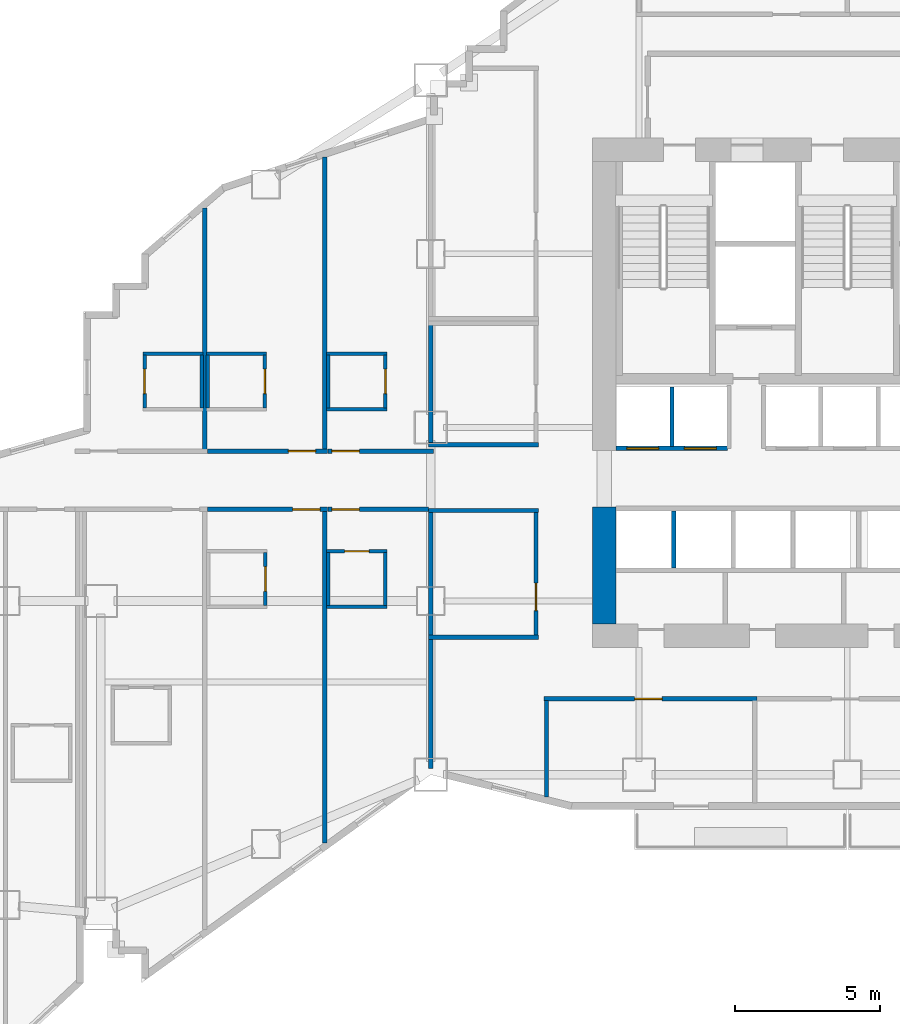
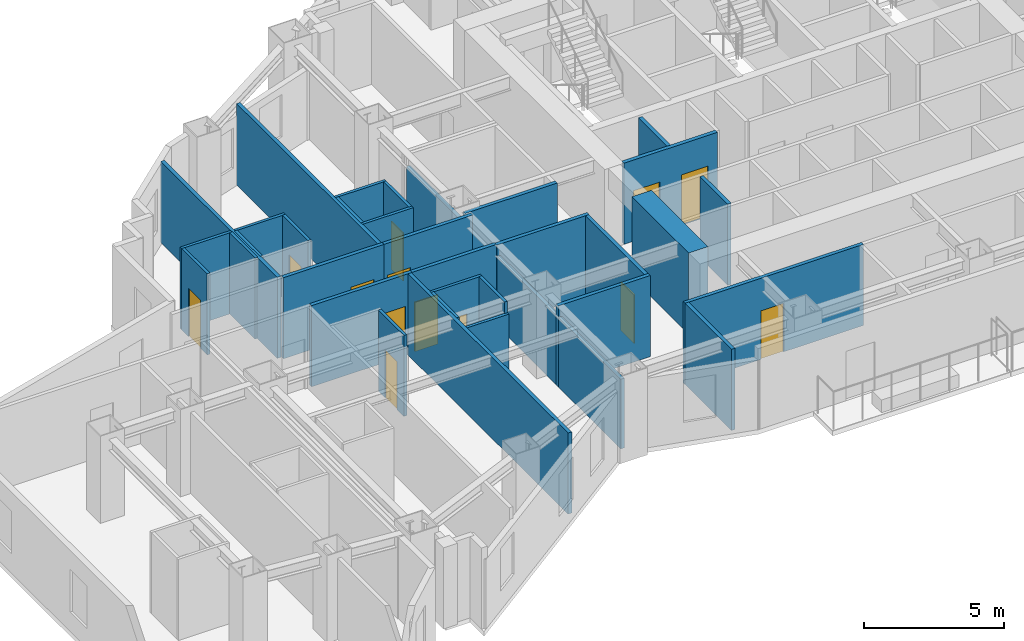
# One storey, part 8 of 16: 35 walls, 13 doors, 13 openings.
"""IFC4 building model written with IfcOpenShell, lengths in metres."""

from ifc_helpers import new_model, si_unit, direction, frame, frame_2d, origin, place, context, subcontext, project, spatial, rectangle, extrude, material, layer, layer_set, type_object, element, fill, save


model = new_model("IFC4")

# Units and contexts
model_context = context("Model", 3, precision=1e-05, world=origin(), true_north=direction((0.0, 1.0)))
body_context = subcontext(model_context, "Body", "Model", "MODEL_VIEW")
ifc_project = project(units=[si_unit("LENGTHUNIT", "METRE"), si_unit("AREAUNIT", "SQUARE_METRE"), si_unit("VOLUMEUNIT", "CUBIC_METRE"), si_unit("PLANEANGLEUNIT", "RADIAN"), si_unit("MASSUNIT", "GRAM", prefix="KILO")], contexts=[model_context])

# Site, building, storey
site_placement = place(None, origin())
site = spatial("IfcSite", under=ifc_project, at=site_placement, CompositionType="ELEMENT")
building_placement = place(site_placement, origin())
building = spatial("IfcBuilding", under=site, at=building_placement, Name="Haolan Belvedere Tower", CompositionType="ELEMENT")
storey_placement = place(building_placement, frame((0.0, 0.0, 85.60009765625)))
storey = spatial("IfcBuildingStorey", under=building, at=storey_placement, Name="L21", CompositionType="ELEMENT", Elevation=85.60009765625)

# Walls
ifc_material_1 = material(Name="Concrete C70/85", Category="concrete")
ifc_layer_1 = layer(ifc_material_1, 0.800048828125, Name="Concrete C70/85")
ifc_layer_set_1 = layer_set([ifc_layer_1], Name="Concrete C70/85")
wall_type_1 = type_object("IfcWallType", Name="WL-CORE-800", PredefinedType="SHEAR", material=ifc_layer_set_1)
wall_1_placement = place(storey_placement, frame((30.0, 26.800048828125, 0.0), z_axis=(0.0, 0.0, 1.0), x_axis=(0.0, 1.0, 0.0)))
element("IfcWall", 1, at=wall_1_placement, inside=storey, type_object=wall_type_1, Name="L21 central core shear wall WS", PredefinedType="SHEAR", context=body_context, shape_type="SweptSolid", body=[
    extrude(rectangle(XDim=4.050048828125, YDim=0.800048828125, at=frame_2d((2.02490234375, 0.0))), origin(), (0.0, 0.0, 1.0), 3.539794921875),
])
ifc_material_2 = material(Name="Double gypsum acoustic stud partition", Category="masonry")
ifc_layer_2 = layer(ifc_material_2, 0.14990234375, Name="Double gypsum acoustic stud partition")
ifc_layer_set_2 = layer_set([ifc_layer_2], Name="Double gypsum acoustic stud partition")
wall_type_2 = type_object("IfcWallType", Name="WL-PART-150", PredefinedType="PARTITIONING", material=ifc_layer_set_2)
wall_2_placement = place(storey_placement, frame((23.919921875, 33.0, 0.0), z_axis=(0.0, 0.0, 1.0), x_axis=(1.0, 0.0, 0.0)))
element("IfcWall", 2, at=wall_2_placement, inside=storey, type_object=wall_type_2, Name="L21 interior partition IW-L21-HSK-S", PredefinedType="PARTITIONING", context=body_context, shape_type="SweptSolid", body=[
    extrude(rectangle(XDim=3.800048828125, YDim=0.14990234375, at=frame_2d((1.89990234375, 0.0))), origin(), (0.0, 0.0, 1.0), 3.539794921875),
])
wall_3_placement = place(storey_placement, frame((24.0, 33.06005859375, 0.0), z_axis=(0.0, 0.0, 1.0), x_axis=(0.0, 1.0, 0.0)))
element("IfcWall", 3, at=wall_3_placement, inside=storey, type_object=wall_type_2, Name="L21 interior partition IW-L21-HSK-W", PredefinedType="PARTITIONING", context=body_context, shape_type="SweptSolid", body=[
    extrude(rectangle(XDim=4.079833984375, YDim=0.14990234375, at=frame_2d((2.0400390625, 0.0))), origin(), (0.0, 0.0, 1.0), 3.036865234375),
])
for number, where, z_axis, x_axis, name in (
    (4, (23.919921875, 30.72998046875, 0.0), (0.0, 0.0, 1.0), (1.0, 0.0, 0.0), "L21 interior partition IW-L21-PKTW-N"),
    (5, (23.919921875, 26.35009765625, 0.0), (0.0, 0.0, 1.0), (1.0, 0.0, 0.0), "L21 interior partition IW-L21-PKTW-S"),
):
    element("IfcWall", number, at=place(storey_placement, frame(where, z_axis=z_axis, x_axis=x_axis)), inside=storey, type_object=wall_type_2, Name=name, PredefinedType="PARTITIONING", context=body_context, shape_type="SweptSolid", body=[
        extrude(rectangle(XDim=3.800048828125, YDim=0.14990234375, at=frame_2d((1.89990234375, 0.0))), origin(), (0.0, 0.0, 1.0), 3.539794921875),
    ])
wall_4_placement = place(storey_placement, frame((24.0, 26.409912109375, 0.0), z_axis=(0.0, 0.0, 1.0), x_axis=(0.0, 1.0, 0.0)))
element("IfcWall", 6, at=wall_4_placement, inside=storey, type_object=wall_type_2, Name="L21 interior partition IW-L21-PKTW-W", PredefinedType="PARTITIONING", context=body_context, shape_type="SweptSolid", body=[
    extrude(rectangle(XDim=4.260009765625, YDim=0.14990234375, at=frame_2d((2.1298828125, 0.0))), origin(), (0.0, 0.0, 1.0), 3.036865234375),
])

# Wall, opening, door
wall_5_placement = place(storey_placement, frame((27.639892578125, 26.409912109375, 0.0), z_axis=(0.0, 0.0, 1.0), x_axis=(0.0, 1.0, 0.0)))
wall_5 = element("IfcWall", 7, at=wall_5_placement, inside=storey, type_object=wall_type_2, Name="L21 interior partition IW-L21-PKTW-E", PredefinedType="PARTITIONING", context=body_context, shape_type="SweptSolid", body=[
    extrude(rectangle(XDim=4.260009765625, YDim=0.14990234375, at=frame_2d((2.1298828125, 0.0))), origin(), (0.0, 0.0, 1.0), 3.539794921875),
])
opening_1_placement = place(wall_5_placement, frame((1.81005859375, 0.0, 0.0), z_axis=(0.0, 0.0, 1.0), x_axis=(-1.0, 0.0, 0.0)))
opening_1 = element("IfcOpeningElement", 8, at=opening_1_placement, cuts=wall_5, Name="Opening ID-03", PredefinedType="OPENING", context=body_context, shape_type="SweptSolid", body=[
    extrude(rectangle(XDim=0.949951171875, YDim=2.1201171875, at=frame_2d((0.47509765625, 1.06005859375))), frame((0.0, 0.0849609375, 0.0), z_axis=(0.0, -1.0, 0.0), x_axis=(1.0, 0.0, 0.0)), (0.0, 0.0, 1.0), 0.169921875),
])
ifc_material_3 = material(Name="Painted solid-core timber", Category="wood")
door_type_1 = type_object("IfcDoorType", Name="DR-INT-950", OperationType="NOTDEFINED", PredefinedType="DOOR", material=ifc_material_3)
door_1_placement = place(opening_1_placement, origin())
door_1 = element("IfcDoor", 9, at=door_1_placement, inside=storey, type_object=door_type_1, Name="L21 door ID-L21-PKTW", OperationType="SINGLE_SWING_LEFT", OverallHeight=2.1201171875, OverallWidth=0.949951171875, PredefinedType="DOOR", context=body_context, shape_type="SweptSolid", body=[
    extrude(rectangle(XDim=0.949951171875, YDim=2.1201171875, at=frame_2d((0.47509765625, 1.06005859375))), frame((0.0, 0.02490234375, 0.0), z_axis=(0.0, -1.0, 0.0), x_axis=(1.0, 0.0, 0.0)), (0.0, 0.0, 1.0), 0.050048828125),
])
fill(opening_1, door_1)

wall_6_placement = place(storey_placement, frame((27.919921875, 24.219970703125, 0.0), z_axis=(0.0, 0.0, 1.0), x_axis=(1.0, 0.0, 0.0)))
wall_6 = element("IfcWall", 10, at=wall_6_placement, inside=storey, type_object=wall_type_2, Name="L21 interior partition IW-L21-KS2-N", PredefinedType="PARTITIONING", context=body_context, shape_type="SweptSolid", body=[
    extrude(rectangle(XDim=7.360107421875, YDim=0.14990234375, at=frame_2d((3.68017578125, 0.0))), origin(), (0.0, 0.0, 1.0), 3.539794921875),
])
opening_2_placement = place(wall_6_placement, frame((4.074951171875, 0.0, 0.0), z_axis=(0.0, 0.0, 1.0), x_axis=(-1.0, 0.0, 0.0)))
opening_2 = element("IfcOpeningElement", 11, at=opening_2_placement, cuts=wall_6, Name="Opening ID-03", PredefinedType="OPENING", context=body_context, shape_type="SweptSolid", body=[
    extrude(rectangle(XDim=0.949951171875, YDim=2.1201171875, at=frame_2d((0.47509765625, 1.06005859375))), frame((0.0, 0.0849609375, 0.0), z_axis=(0.0, -1.0, 0.0), x_axis=(1.0, 0.0, 0.0)), (0.0, 0.0, 1.0), 0.169921875),
])
door_2_placement = place(opening_2_placement, origin())
door_2 = element("IfcDoor", 12, at=door_2_placement, inside=storey, type_object=door_type_1, Name="L21 door ID-L21-KS2", OperationType="SINGLE_SWING_RIGHT", OverallHeight=2.1201171875, OverallWidth=0.949951171875, PredefinedType="DOOR", context=body_context, shape_type="SweptSolid", body=[
    extrude(rectangle(XDim=0.949951171875, YDim=2.1201171875, at=frame_2d((0.47509765625, 1.06005859375))), frame((0.0, 0.02490234375, 0.0), z_axis=(0.0, -1.0, 0.0), x_axis=(1.0, 0.0, 0.0)), (0.0, 0.0, 1.0), 0.050048828125),
])
fill(opening_2, door_2)

# Walls
wall_7_placement = place(storey_placement, frame((28.0, 20.83203125, 0.0), z_axis=(0.0, 0.0, 1.0), x_axis=(0.0, 1.0, 0.0)))
element("IfcWall", 13, at=wall_7_placement, inside=storey, type_object=wall_type_2, Name="L21 interior partition IW-L21-KS2-W", PredefinedType="PARTITIONING", context=body_context, shape_type="SweptSolid", body=[
    extrude(rectangle(XDim=3.327880859375, YDim=0.14990234375, at=frame_2d((1.6640625, 0.0))), origin(), (0.0, 0.0, 1.0), 3.539794921875),
])
wall_8_placement = place(storey_placement, frame((16.18994140625, 32.840087890625, 0.0), z_axis=(0.0, 0.0, 1.0), x_axis=(0.0, 1.0, 0.0)))
element("IfcWall", 14, at=wall_8_placement, inside=storey, type_object=wall_type_2, Name="L21 interior partition IW-L21-T2N1-E", PredefinedType="PARTITIONING", context=body_context, shape_type="SweptSolid", body=[
    extrude(rectangle(XDim=8.3408203125, YDim=0.14990234375, at=frame_2d((4.17041015625, 0.0))), origin(), (0.0, 0.0, 1.0), 3.539794921875),
])

# Wall, opening, door
wall_9_placement = place(storey_placement, frame((16.2919921875, 32.780029296875, 0.0), z_axis=(0.0, 0.0, 1.0), x_axis=(1.0, 0.0, 0.0)))
wall_9 = element("IfcWall", 15, at=wall_9_placement, inside=storey, type_object=wall_type_2, Name="L21 interior partition IW-L21-T2N2-S", PredefinedType="PARTITIONING", context=body_context, shape_type="SweptSolid", body=[
    extrude(rectangle(XDim=4.14794921875, YDim=0.14990234375, at=frame_2d((2.073974609375, 0.0))), origin(), (0.0, 0.0, 1.0), 3.539794921875),
])
opening_3_placement = place(wall_9_placement, frame((2.7841796875, 0.0, 0.0)))
opening_3 = element("IfcOpeningElement", 16, at=opening_3_placement, cuts=wall_9, Name="Opening ID-02", PredefinedType="OPENING", context=body_context, shape_type="SweptSolid", body=[
    extrude(rectangle(XDim=0.949951171875, YDim=2.14990234375, at=frame_2d((0.47509765625, 1.074951171875))), frame((0.0, 0.0849609375, 0.0), z_axis=(0.0, -1.0, 0.0), x_axis=(1.0, 0.0, 0.0)), (0.0, 0.0, 1.0), 0.169921875),
])
ifc_material_4 = material(Name="Acoustic oak veneer fire-rated timber", Category="wood")
door_type_2 = type_object("IfcDoorType", Name="DR-GUEST-950", OperationType="NOTDEFINED", PredefinedType="DOOR", material=ifc_material_4)
door_3_placement = place(opening_3_placement, origin())
door_3 = element("IfcDoor", 17, at=door_3_placement, inside=storey, type_object=door_type_2, Name="L21 door ID-L21-T2N2-ENT", OperationType="SINGLE_SWING_RIGHT", OverallHeight=2.14990234375, OverallWidth=0.949951171875, PredefinedType="DOOR", context=body_context, shape_type="SweptSolid", body=[
    extrude(rectangle(XDim=0.949951171875, YDim=2.14990234375, at=frame_2d((0.47509765625, 1.074951171875))), frame((0.0, 0.02490234375, 0.0), z_axis=(0.0, -1.0, 0.0), x_axis=(1.0, 0.0, 0.0)), (0.0, 0.0, 1.0), 0.050048828125),
])
fill(opening_3, door_3)

# Wall
wall_10_placement = place(storey_placement, frame((20.340087890625, 32.840087890625, 0.0), z_axis=(0.0, 0.0, 1.0), x_axis=(0.0, 1.0, 0.0)))
element("IfcWall", 18, at=wall_10_placement, inside=storey, type_object=wall_type_2, Name="L21 interior partition IW-L21-T2N2-E", PredefinedType="PARTITIONING", context=body_context, shape_type="SweptSolid", body=[
    extrude(rectangle(XDim=10.102783203125, YDim=0.14990234375, at=frame_2d((5.05126953125, 0.0))), origin(), (0.0, 0.0, 1.0), 3.539794921875),
])

# Wall, opening, door
wall_11_placement = place(storey_placement, frame((20.44189453125, 32.780029296875, 0.0), z_axis=(0.0, 0.0, 1.0), x_axis=(1.0, 0.0, 0.0)))
wall_11 = element("IfcWall", 19, at=wall_11_placement, inside=storey, type_object=wall_type_2, Name="L21 interior partition IW-L21-T2N3-S", PredefinedType="PARTITIONING", context=body_context, shape_type="SweptSolid", body=[
    extrude(rectangle(XDim=3.658203125, YDim=0.14990234375, at=frame_2d((1.8291015625, 0.0))), origin(), (0.0, 0.0, 1.0), 3.539794921875),
])
opening_4_placement = place(wall_11_placement, frame((0.139892578125, 0.0, 0.0)))
opening_4 = element("IfcOpeningElement", 20, at=opening_4_placement, cuts=wall_11, Name="Opening ID-02", PredefinedType="OPENING", context=body_context, shape_type="SweptSolid", body=[
    extrude(rectangle(XDim=0.949951171875, YDim=2.14990234375, at=frame_2d((0.47509765625, 1.074951171875))), frame((0.0, 0.0849609375, 0.0), z_axis=(0.0, -1.0, 0.0), x_axis=(1.0, 0.0, 0.0)), (0.0, 0.0, 1.0), 0.169921875),
])
door_4_placement = place(opening_4_placement, origin())
door_4 = element("IfcDoor", 21, at=door_4_placement, inside=storey, type_object=door_type_2, Name="L21 door ID-L21-T2N3-ENT", OperationType="SINGLE_SWING_LEFT", OverallHeight=2.14990234375, OverallWidth=0.949951171875, PredefinedType="DOOR", context=body_context, shape_type="SweptSolid", body=[
    extrude(rectangle(XDim=0.949951171875, YDim=2.14990234375, at=frame_2d((0.47509765625, 1.074951171875))), frame((0.0, 0.02490234375, 0.0), z_axis=(0.0, -1.0, 0.0), x_axis=(1.0, 0.0, 0.0)), (0.0, 0.0, 1.0), 0.050048828125),
])
fill(opening_4, door_4)

wall_12_placement = place(storey_placement, frame((16.2919921875, 30.77001953125, 0.0), z_axis=(0.0, 0.0, 1.0), x_axis=(1.0, 0.0, 0.0)))
wall_12 = element("IfcWall", 22, at=wall_12_placement, inside=storey, type_object=wall_type_2, Name="L21 interior partition IW-L21-T2S2-N", PredefinedType="PARTITIONING", context=body_context, shape_type="SweptSolid", body=[
    extrude(rectangle(XDim=4.14794921875, YDim=0.14990234375, at=frame_2d((2.073974609375, 0.0))), origin(), (0.0, 0.0, 1.0), 3.539794921875),
])
opening_5_placement = place(wall_12_placement, frame((3.88525390625, 0.0, 0.0), z_axis=(0.0, 0.0, 1.0), x_axis=(-1.0, 0.0, 0.0)))
opening_5 = element("IfcOpeningElement", 23, at=opening_5_placement, cuts=wall_12, Name="Opening ID-02", PredefinedType="OPENING", context=body_context, shape_type="SweptSolid", body=[
    extrude(rectangle(XDim=0.949951171875, YDim=2.14990234375, at=frame_2d((0.47509765625, 1.074951171875))), frame((0.0, 0.0849609375, 0.0), z_axis=(0.0, -1.0, 0.0), x_axis=(1.0, 0.0, 0.0)), (0.0, 0.0, 1.0), 0.169921875),
])
door_5_placement = place(opening_5_placement, origin())
door_5 = element("IfcDoor", 24, at=door_5_placement, inside=storey, type_object=door_type_2, Name="L21 door ID-L21-T2S2-ENT", OperationType="SINGLE_SWING_LEFT", OverallHeight=2.14990234375, OverallWidth=0.949951171875, PredefinedType="DOOR", context=body_context, shape_type="SweptSolid", body=[
    extrude(rectangle(XDim=0.949951171875, YDim=2.14990234375, at=frame_2d((0.47509765625, 1.074951171875))), frame((0.0, 0.02490234375, 0.0), z_axis=(0.0, -1.0, 0.0), x_axis=(1.0, 0.0, 0.0)), (0.0, 0.0, 1.0), 0.050048828125),
])
fill(opening_5, door_5)

# Wall
wall_13_placement = place(storey_placement, frame((20.340087890625, 19.241943359375, 0.0), z_axis=(0.0, 0.0, 1.0), x_axis=(0.0, 1.0, 0.0)))
element("IfcWall", 25, at=wall_13_placement, inside=storey, type_object=wall_type_2, Name="L21 interior partition IW-L21-T2S2-E", PredefinedType="PARTITIONING", context=body_context, shape_type="SweptSolid", body=[
    extrude(rectangle(XDim=11.468017578125, YDim=0.14990234375, at=frame_2d((5.73388671875, 0.0))), origin(), (0.0, 0.0, 1.0), 3.539794921875),
])

# Wall, opening, door
wall_14_placement = place(storey_placement, frame((20.44189453125, 30.77001953125, 0.0), z_axis=(0.0, 0.0, 1.0), x_axis=(1.0, 0.0, 0.0)))
wall_14 = element("IfcWall", 26, at=wall_14_placement, inside=storey, type_object=wall_type_2, Name="L21 interior partition IW-L21-T2S3-N", PredefinedType="PARTITIONING", context=body_context, shape_type="SweptSolid", body=[
    extrude(rectangle(XDim=3.47607421875, YDim=0.14990234375, at=frame_2d((1.738037109375, 0.0))), origin(), (0.0, 0.0, 1.0), 3.539794921875),
])
opening_6_placement = place(wall_14_placement, frame((1.08984375, 0.0, 0.0), z_axis=(0.0, 0.0, 1.0), x_axis=(-1.0, 0.0, 0.0)))
opening_6 = element("IfcOpeningElement", 27, at=opening_6_placement, cuts=wall_14, Name="Opening ID-02", PredefinedType="OPENING", context=body_context, shape_type="SweptSolid", body=[
    extrude(rectangle(XDim=0.949951171875, YDim=2.14990234375, at=frame_2d((0.47509765625, 1.074951171875))), frame((0.0, 0.0849609375, 0.0), z_axis=(0.0, -1.0, 0.0), x_axis=(1.0, 0.0, 0.0)), (0.0, 0.0, 1.0), 0.169921875),
])
door_6_placement = place(opening_6_placement, origin())
door_6 = element("IfcDoor", 28, at=door_6_placement, inside=storey, type_object=door_type_2, Name="L21 door ID-L21-T2S3-ENT", OperationType="SINGLE_SWING_RIGHT", OverallHeight=2.14990234375, OverallWidth=0.949951171875, PredefinedType="DOOR", context=body_context, shape_type="SweptSolid", body=[
    extrude(rectangle(XDim=0.949951171875, YDim=2.14990234375, at=frame_2d((0.47509765625, 1.074951171875))), frame((0.0, 0.02490234375, 0.0), z_axis=(0.0, -1.0, 0.0), x_axis=(1.0, 0.0, 0.0)), (0.0, 0.0, 1.0), 0.050048828125),
])
fill(opening_6, door_6)

# Wall
wall_15_placement = place(storey_placement, frame((24.0, 21.818603515625, 0.0), z_axis=(0.0, 0.0, 1.0), x_axis=(0.0, 1.0, 0.0)))
element("IfcWall", 29, at=wall_15_placement, inside=storey, type_object=wall_type_2, Name="L21 interior partition IW-L21-T2S3-E", PredefinedType="PARTITIONING", context=body_context, shape_type="SweptSolid", body=[
    extrude(rectangle(XDim=4.471435546875, YDim=0.14990234375, at=frame_2d((2.23583984375, 0.0))), origin(), (0.0, 0.0, 1.0), 3.036865234375),
])

# Wall, openings, doors
ifc_material_5 = material(Name="Gypsum fire shaftwall assembly", Category="masonry")
ifc_layer_3 = layer(ifc_material_5, 0.1650390625, Name="Gypsum fire shaftwall assembly")
ifc_layer_set_3 = layer_set([ifc_layer_3], Name="Gypsum fire shaftwall assembly")
wall_type_3 = type_object("IfcWallType", Name="WL-SHAFT-160", PredefinedType="SOLIDWALL", material=ifc_layer_set_3)
wall_16_placement = place(storey_placement, frame((30.39990234375, 32.8798828125, 0.0), z_axis=(0.0, 0.0, 1.0), x_axis=(1.0, 0.0, 0.0)))
wall_16 = element("IfcWall", 30, at=wall_16_placement, inside=storey, type_object=wall_type_3, Name="L21 interior partition IW-L21-ROW-PN1", PredefinedType="SOLIDWALL", context=body_context, shape_type="SweptSolid", body=[
    extrude(rectangle(XDim=3.85009765625, YDim=0.159912109375, at=frame_2d((1.925048828125, 0.0))), origin(), (0.0, 0.0, 1.0), 3.539794921875),
])
opening_7_placement = place(wall_16_placement, frame((1.47998046875, 0.0, 0.0), z_axis=(0.0, 0.0, 1.0), x_axis=(-1.0, 0.0, 0.0)))
opening_7 = element("IfcOpeningElement", 31, at=opening_7_placement, cuts=wall_16, Name="Opening LD-01", PredefinedType="OPENING", context=body_context, shape_type="SweptSolid", body=[
    extrude(rectangle(XDim=1.10009765625, YDim=2.199951171875, at=frame_2d((0.550048828125, 1.10009765625))), frame((0.0, 0.08984375, 0.0), z_axis=(0.0, -1.0, 0.0), x_axis=(1.0, 0.0, 0.0)), (0.0, 0.0, 1.0), 0.179931640625),
])
opening_8_placement = place(wall_16_placement, frame((3.47021484375, 0.0, 0.0), z_axis=(0.0, 0.0, 1.0), x_axis=(-1.0, 0.0, 0.0)))
opening_8 = element("IfcOpeningElement", 32, at=opening_8_placement, cuts=wall_16, Name="Opening LD-01", PredefinedType="OPENING", context=body_context, shape_type="SweptSolid", body=[
    extrude(rectangle(XDim=1.10009765625, YDim=2.199951171875, at=frame_2d((0.550048828125, 1.10009765625))), frame((0.0, 0.08984375, 0.0), z_axis=(0.0, -1.0, 0.0), x_axis=(1.0, 0.0, 0.0)), (0.0, 0.0, 1.0), 0.179931640625),
])
ifc_material_6 = material(Name="Brushed champagne stainless steel 316L", Category="steel")
door_type_3 = type_object("IfcDoorType", Name="DR-LIFT-1100", OperationType="SLIDING_TO_LEFT", PredefinedType="DOOR", material=ifc_material_6)
door_7_placement = place(opening_7_placement, origin())
door_7 = element("IfcDoor", 33, at=door_7_placement, inside=storey, type_object=door_type_3, Name="L21 door ID-L21-LD-PL1", OperationType="SLIDING_TO_LEFT", OverallHeight=2.199951171875, OverallWidth=1.10009765625, PredefinedType="DOOR", context=body_context, shape_type="SweptSolid", body=[
    extrude(rectangle(XDim=1.10009765625, YDim=2.199951171875, at=frame_2d((0.550048828125, 1.10009765625))), frame((0.0, 0.02490234375, 0.0), z_axis=(0.0, -1.0, 0.0), x_axis=(1.0, 0.0, 0.0)), (0.0, 0.0, 1.0), 0.050048828125),
])
fill(opening_7, door_7)
door_8_placement = place(opening_8_placement, origin())
door_8 = element("IfcDoor", 34, at=door_8_placement, inside=storey, type_object=door_type_3, Name="L21 door ID-L21-LD-PL2", OperationType="SLIDING_TO_LEFT", OverallHeight=2.199951171875, OverallWidth=1.10009765625, PredefinedType="DOOR", context=body_context, shape_type="SweptSolid", body=[
    extrude(rectangle(XDim=1.10009765625, YDim=2.199951171875, at=frame_2d((0.550048828125, 1.10009765625))), frame((0.0, 0.02490234375, 0.0), z_axis=(0.0, -1.0, 0.0), x_axis=(1.0, 0.0, 0.0)), (0.0, 0.0, 1.0), 0.050048828125),
])
fill(opening_8, door_8)

# Walls
wall_17_placement = place(storey_placement, frame((32.340087890625, 32.949951171875, 0.0), z_axis=(0.0, 0.0, 1.0), x_axis=(0.0, 1.0, 0.0)))
element("IfcWall", 35, at=wall_17_placement, inside=storey, type_object=wall_type_3, Name="L21 interior partition IW-L21-DIV-PL1", PredefinedType="SOLIDWALL", context=body_context, shape_type="SweptSolid", body=[
    extrude(rectangle(XDim=2.050048828125, YDim=0.14990234375, at=frame_2d((1.02490234375, 0.0))), origin(), (0.0, 0.0, 1.0), 3.539794921875),
])
wall_18_placement = place(storey_placement, frame((32.39990234375, 28.735107421875, 0.0), z_axis=(0.0, 0.0, 1.0), x_axis=(0.0, 1.0, 0.0)))
element("IfcWall", 36, at=wall_18_placement, inside=storey, type_object=wall_type_3, Name="L21 interior partition IW-L21-DIV-PM1", PredefinedType="SOLIDWALL", context=body_context, shape_type="SweptSolid", body=[
    extrude(rectangle(XDim=1.98486328125, YDim=0.14990234375, at=frame_2d((0.992431640625, 0.0))), origin(), (0.0, 0.0, 1.0), 3.539794921875),
])
ifc_material_7 = material(Name="Moisture-resistant gypsum tile partition", Category="masonry")
ifc_layer_4 = layer(ifc_material_7, 0.1201171875, Name="Moisture-resistant gypsum tile partition")
ifc_layer_set_4 = layer_set([ifc_layer_4], Name="Moisture-resistant gypsum tile partition")
wall_type_4 = type_object("IfcWallType", Name="WL-WET-120", PredefinedType="PARTITIONING", material=ifc_layer_set_4)
wall_19_placement = place(storey_placement, frame((14.050048828125, 36.14990234375, 0.0), z_axis=(0.0, 0.0, 1.0), x_axis=(1.0, 0.0, 0.0)))
element("IfcWall", 37, at=wall_19_placement, inside=storey, type_object=wall_type_4, Name="L21 interior partition IW-L21-T2N1-BN", PredefinedType="PARTITIONING", context=body_context, shape_type="SweptSolid", body=[
    extrude(rectangle(XDim=2.079833984375, YDim=0.1201171875, at=frame_2d((1.0400390625, 0.0))), origin(), (0.0, 0.0, 1.0), 3.539794921875),
])

# Wall, opening, door
wall_20_placement = place(storey_placement, frame((14.110107421875, 34.27490234375, 0.0), z_axis=(0.0, 0.0, 1.0), x_axis=(0.0, 1.0, 0.0)))
wall_20 = element("IfcWall", 38, at=wall_20_placement, inside=storey, type_object=wall_type_4, Name="L21 interior partition IW-L21-T2N1-BW", PredefinedType="PARTITIONING", context=body_context, shape_type="SweptSolid", body=[
    extrude(rectangle(XDim=1.830078125, YDim=0.1201171875, at=frame_2d((0.9150390625, 0.0))), origin(), (0.0, 0.0, 1.0), 3.539794921875),
])
opening_9_placement = place(wall_20_placement, frame((1.340087890625, 0.0, 0.0), z_axis=(0.0, 0.0, 1.0), x_axis=(-1.0, 0.0, 0.0)))
opening_9 = element("IfcOpeningElement", 39, at=opening_9_placement, cuts=wall_20, Name="Opening ID-05", PredefinedType="OPENING", context=body_context, shape_type="SweptSolid", body=[
    extrude(rectangle(XDim=0.85009765625, YDim=2.10009765625, at=frame_2d((0.425048828125, 1.050048828125))), frame((0.0, 0.070068359375, 0.0), z_axis=(0.0, -1.0, 0.0), x_axis=(1.0, 0.0, 0.0)), (0.0, 0.0, 1.0), 0.14013671875),
])
ifc_material_8 = material(Name="Moisture-resistant lacquered timber", Category="wood")
door_type_4 = type_object("IfcDoorType", Name="DR-BATH-850", OperationType="NOTDEFINED", PredefinedType="DOOR", material=ifc_material_8)
door_9_placement = place(opening_9_placement, origin())
door_9 = element("IfcDoor", 40, at=door_9_placement, inside=storey, type_object=door_type_4, Name="L21 door ID-L21-T2N1-BATH", OperationType="SINGLE_SWING_RIGHT", OverallHeight=2.10009765625, OverallWidth=0.85009765625, PredefinedType="DOOR", context=body_context, shape_type="SweptSolid", body=[
    extrude(rectangle(XDim=0.85009765625, YDim=2.10009765625, at=frame_2d((0.425048828125, 1.050048828125))), frame((0.0, 0.02490234375, 0.0), z_axis=(0.0, -1.0, 0.0), x_axis=(1.0, 0.0, 0.0)), (0.0, 0.0, 1.0), 0.050048828125),
])
fill(opening_9, door_9)

# Walls
wall_21_placement = place(storey_placement, frame((16.090087890625, 34.27490234375, 0.0), z_axis=(0.0, 0.0, 1.0), x_axis=(0.0, 1.0, 0.0)))
element("IfcWall", 41, at=wall_21_placement, inside=storey, type_object=wall_type_4, Name="L21 interior partition IW-L21-T2N1-BE", PredefinedType="PARTITIONING", context=body_context, shape_type="SweptSolid", body=[
    extrude(rectangle(XDim=1.830078125, YDim=0.1201171875, at=frame_2d((0.9150390625, 0.0))), origin(), (0.0, 0.0, 1.0), 3.539794921875),
])
wall_22_placement = place(storey_placement, frame((16.25, 36.14990234375, 0.0), z_axis=(0.0, 0.0, 1.0), x_axis=(1.0, 0.0, 0.0)))
element("IfcWall", 42, at=wall_22_placement, inside=storey, type_object=wall_type_4, Name="L21 interior partition IW-L21-T2N2-BN", PredefinedType="PARTITIONING", context=body_context, shape_type="SweptSolid", body=[
    extrude(rectangle(XDim=2.080078125, YDim=0.1201171875, at=frame_2d((1.0400390625, 0.0))), origin(), (0.0, 0.0, 1.0), 3.539794921875),
])
wall_23_placement = place(storey_placement, frame((16.2900390625, 34.27490234375, 0.0), z_axis=(0.0, 0.0, 1.0), x_axis=(0.0, 1.0, 0.0)))
element("IfcWall", 43, at=wall_23_placement, inside=storey, type_object=wall_type_4, Name="L21 interior partition IW-L21-T2N2-BW", PredefinedType="PARTITIONING", context=body_context, shape_type="SweptSolid", body=[
    extrude(rectangle(XDim=1.830078125, YDim=0.1201171875, at=frame_2d((0.9150390625, 0.0))), origin(), (0.0, 0.0, 1.0), 3.539794921875),
])

# Wall, opening, door
wall_24_placement = place(storey_placement, frame((18.27001953125, 34.27490234375, 0.0), z_axis=(0.0, 0.0, 1.0), x_axis=(0.0, 1.0, 0.0)))
wall_24 = element("IfcWall", 44, at=wall_24_placement, inside=storey, type_object=wall_type_4, Name="L21 interior partition IW-L21-T2N2-BE", PredefinedType="PARTITIONING", context=body_context, shape_type="SweptSolid", body=[
    extrude(rectangle(XDim=1.830078125, YDim=0.1201171875, at=frame_2d((0.9150390625, 0.0))), origin(), (0.0, 0.0, 1.0), 3.539794921875),
])
opening_10_placement = place(wall_24_placement, frame((0.489990234375, 0.0, 0.0)))
opening_10 = element("IfcOpeningElement", 45, at=opening_10_placement, cuts=wall_24, Name="Opening ID-05", PredefinedType="OPENING", context=body_context, shape_type="SweptSolid", body=[
    extrude(rectangle(XDim=0.85009765625, YDim=2.10009765625, at=frame_2d((0.425048828125, 1.050048828125))), frame((0.0, 0.070068359375, 0.0), z_axis=(0.0, -1.0, 0.0), x_axis=(1.0, 0.0, 0.0)), (0.0, 0.0, 1.0), 0.14013671875),
])
door_10_placement = place(opening_10_placement, origin())
door_10 = element("IfcDoor", 46, at=door_10_placement, inside=storey, type_object=door_type_4, Name="L21 door ID-L21-T2N2-BATH", OperationType="SINGLE_SWING_LEFT", OverallHeight=2.10009765625, OverallWidth=0.85009765625, PredefinedType="DOOR", context=body_context, shape_type="SweptSolid", body=[
    extrude(rectangle(XDim=0.85009765625, YDim=2.10009765625, at=frame_2d((0.425048828125, 1.050048828125))), frame((0.0, 0.02490234375, 0.0), z_axis=(0.0, -1.0, 0.0), x_axis=(1.0, 0.0, 0.0)), (0.0, 0.0, 1.0), 0.050048828125),
])
fill(opening_10, door_10)

# Walls
for number, where, z_axis, x_axis, name in (
    (47, (20.39990234375, 36.14990234375, 0.0), (0.0, 0.0, 1.0), (1.0, 0.0, 0.0), "L21 interior partition IW-L21-T2N3-BN"),
    (48, (20.39990234375, 34.22998046875, 0.0), (0.0, 0.0, 1.0), (1.0, 0.0, 0.0), "L21 interior partition IW-L21-T2N3-BS"),
):
    element("IfcWall", number, at=place(storey_placement, frame(where, z_axis=z_axis, x_axis=x_axis)), inside=storey, type_object=wall_type_4, Name=name, PredefinedType="PARTITIONING", context=body_context, shape_type="SweptSolid", body=[
        extrude(rectangle(XDim=2.09423828125, YDim=0.1201171875, at=frame_2d((1.047119140625, 0.0))), origin(), (0.0, 0.0, 1.0), 3.539794921875),
    ])
wall_25_placement = place(storey_placement, frame((20.4541015625, 34.27490234375, 0.0), z_axis=(0.0, 0.0, 1.0), x_axis=(0.0, 1.0, 0.0)))
element("IfcWall", 49, at=wall_25_placement, inside=storey, type_object=wall_type_4, Name="L21 interior partition IW-L21-T2N3-BW", PredefinedType="PARTITIONING", context=body_context, shape_type="SweptSolid", body=[
    extrude(rectangle(XDim=1.830078125, YDim=0.1201171875, at=frame_2d((0.9150390625, 0.0))), origin(), (0.0, 0.0, 1.0), 3.539794921875),
])

# Wall, opening, door
wall_26_placement = place(storey_placement, frame((22.43408203125, 34.27490234375, 0.0), z_axis=(0.0, 0.0, 1.0), x_axis=(0.0, 1.0, 0.0)))
wall_26 = element("IfcWall", 50, at=wall_26_placement, inside=storey, type_object=wall_type_4, Name="L21 interior partition IW-L21-T2N3-BE", PredefinedType="PARTITIONING", context=body_context, shape_type="SweptSolid", body=[
    extrude(rectangle(XDim=1.830078125, YDim=0.1201171875, at=frame_2d((0.9150390625, 0.0))), origin(), (0.0, 0.0, 1.0), 3.539794921875),
])
opening_11_placement = place(wall_26_placement, frame((0.489990234375, 0.0, 0.0)))
opening_11 = element("IfcOpeningElement", 51, at=opening_11_placement, cuts=wall_26, Name="Opening ID-05", PredefinedType="OPENING", context=body_context, shape_type="SweptSolid", body=[
    extrude(rectangle(XDim=0.85009765625, YDim=2.10009765625, at=frame_2d((0.425048828125, 1.050048828125))), frame((0.0, 0.070068359375, 0.0), z_axis=(0.0, -1.0, 0.0), x_axis=(1.0, 0.0, 0.0)), (0.0, 0.0, 1.0), 0.14013671875),
])
door_11_placement = place(opening_11_placement, origin())
door_11 = element("IfcDoor", 52, at=door_11_placement, inside=storey, type_object=door_type_4, Name="L21 door ID-L21-T2N3-BATH", OperationType="SINGLE_SWING_RIGHT", OverallHeight=2.10009765625, OverallWidth=0.85009765625, PredefinedType="DOOR", context=body_context, shape_type="SweptSolid", body=[
    extrude(rectangle(XDim=0.85009765625, YDim=2.10009765625, at=frame_2d((0.425048828125, 1.050048828125))), frame((0.0, 0.02490234375, 0.0), z_axis=(0.0, -1.0, 0.0), x_axis=(1.0, 0.0, 0.0)), (0.0, 0.0, 1.0), 0.050048828125),
])
fill(opening_11, door_11)

wall_27_placement = place(storey_placement, frame((18.284912109375, 27.445068359375, 0.0), z_axis=(0.0, 0.0, 1.0), x_axis=(0.0, 1.0, 0.0)))
wall_27 = element("IfcWall", 53, at=wall_27_placement, inside=storey, type_object=wall_type_4, Name="L21 interior partition IW-L21-T2S2-BE", PredefinedType="PARTITIONING", context=body_context, shape_type="SweptSolid", body=[
    extrude(rectangle(XDim=1.829833984375, YDim=0.1201171875, at=frame_2d((0.9150390625, 0.0))), origin(), (0.0, 0.0, 1.0), 3.539794921875),
])
opening_12_placement = place(wall_27_placement, frame((0.489990234375, 0.0, 0.0)))
opening_12 = element("IfcOpeningElement", 54, at=opening_12_placement, cuts=wall_27, Name="Opening ID-05", PredefinedType="OPENING", context=body_context, shape_type="SweptSolid", body=[
    extrude(rectangle(XDim=0.85009765625, YDim=2.10009765625, at=frame_2d((0.425048828125, 1.050048828125))), frame((0.0, 0.070068359375, 0.0), z_axis=(0.0, -1.0, 0.0), x_axis=(1.0, 0.0, 0.0)), (0.0, 0.0, 1.0), 0.14013671875),
])
door_12_placement = place(opening_12_placement, origin())
door_12 = element("IfcDoor", 55, at=door_12_placement, inside=storey, type_object=door_type_4, Name="L21 door ID-L21-T2S2-BATH", OperationType="SINGLE_SWING_RIGHT", OverallHeight=2.10009765625, OverallWidth=0.85009765625, PredefinedType="DOOR", context=body_context, shape_type="SweptSolid", body=[
    extrude(rectangle(XDim=0.85009765625, YDim=2.10009765625, at=frame_2d((0.425048828125, 1.050048828125))), frame((0.0, 0.02490234375, 0.0), z_axis=(0.0, -1.0, 0.0), x_axis=(1.0, 0.0, 0.0)), (0.0, 0.0, 1.0), 0.050048828125),
])
fill(opening_12, door_12)

wall_28_placement = place(storey_placement, frame((20.39990234375, 29.320068359375, 0.0), z_axis=(0.0, 0.0, 1.0), x_axis=(1.0, 0.0, 0.0)))
wall_28 = element("IfcWall", 56, at=wall_28_placement, inside=storey, type_object=wall_type_4, Name="L21 interior partition IW-L21-T2S3-BN", PredefinedType="PARTITIONING", context=body_context, shape_type="SweptSolid", body=[
    extrude(rectangle(XDim=2.09521484375, YDim=0.1201171875, at=frame_2d((1.047607421875, 0.0))), origin(), (0.0, 0.0, 1.0), 3.539794921875),
])
opening_13_placement = place(wall_28_placement, frame((1.47021484375, 0.0, 0.0), z_axis=(0.0, 0.0, 1.0), x_axis=(-1.0, 0.0, 0.0)))
opening_13 = element("IfcOpeningElement", 57, at=opening_13_placement, cuts=wall_28, Name="Opening ID-05", PredefinedType="OPENING", context=body_context, shape_type="SweptSolid", body=[
    extrude(rectangle(XDim=0.85009765625, YDim=2.10009765625, at=frame_2d((0.425048828125, 1.050048828125))), frame((0.0, 0.070068359375, 0.0), z_axis=(0.0, -1.0, 0.0), x_axis=(1.0, 0.0, 0.0)), (0.0, 0.0, 1.0), 0.14013671875),
])
door_13_placement = place(opening_13_placement, origin())
door_13 = element("IfcDoor", 58, at=door_13_placement, inside=storey, type_object=door_type_4, Name="L21 door ID-L21-T2S3-BATH", OperationType="SINGLE_SWING_LEFT", OverallHeight=2.10009765625, OverallWidth=0.85009765625, PredefinedType="DOOR", context=body_context, shape_type="SweptSolid", body=[
    extrude(rectangle(XDim=0.85009765625, YDim=2.10009765625, at=frame_2d((0.425048828125, 1.050048828125))), frame((0.0, 0.02490234375, 0.0), z_axis=(0.0, -1.0, 0.0), x_axis=(1.0, 0.0, 0.0)), (0.0, 0.0, 1.0), 0.050048828125),
])
fill(opening_13, door_13)

# Walls
wall_29_placement = place(storey_placement, frame((20.39990234375, 27.39990234375, 0.0), z_axis=(0.0, 0.0, 1.0), x_axis=(1.0, 0.0, 0.0)))
element("IfcWall", 59, at=wall_29_placement, inside=storey, type_object=wall_type_4, Name="L21 interior partition IW-L21-T2S3-BS", PredefinedType="PARTITIONING", context=body_context, shape_type="SweptSolid", body=[
    extrude(rectangle(XDim=2.09521484375, YDim=0.1201171875, at=frame_2d((1.047607421875, 0.0))), origin(), (0.0, 0.0, 1.0), 3.036865234375),
])
for number, where, z_axis, x_axis, name in (
    (60, (20.455078125, 27.445068359375, 0.0), (0.0, 0.0, 1.0), (0.0, 1.0, 0.0), "L21 interior partition IW-L21-T2S3-BW"),
    (61, (22.43505859375, 27.445068359375, 0.0), (0.0, 0.0, 1.0), (0.0, 1.0, 0.0), "L21 interior partition IW-L21-T2S3-BE"),
):
    element("IfcWall", number, at=place(storey_placement, frame(where, z_axis=z_axis, x_axis=x_axis)), inside=storey, type_object=wall_type_4, Name=name, PredefinedType="PARTITIONING", context=body_context, shape_type="SweptSolid", body=[
        extrude(rectangle(XDim=1.829833984375, YDim=0.1201171875, at=frame_2d((0.9150390625, 0.0))), origin(), (0.0, 0.0, 1.0), 3.539794921875),
    ])

save(model, "model.ifc")
